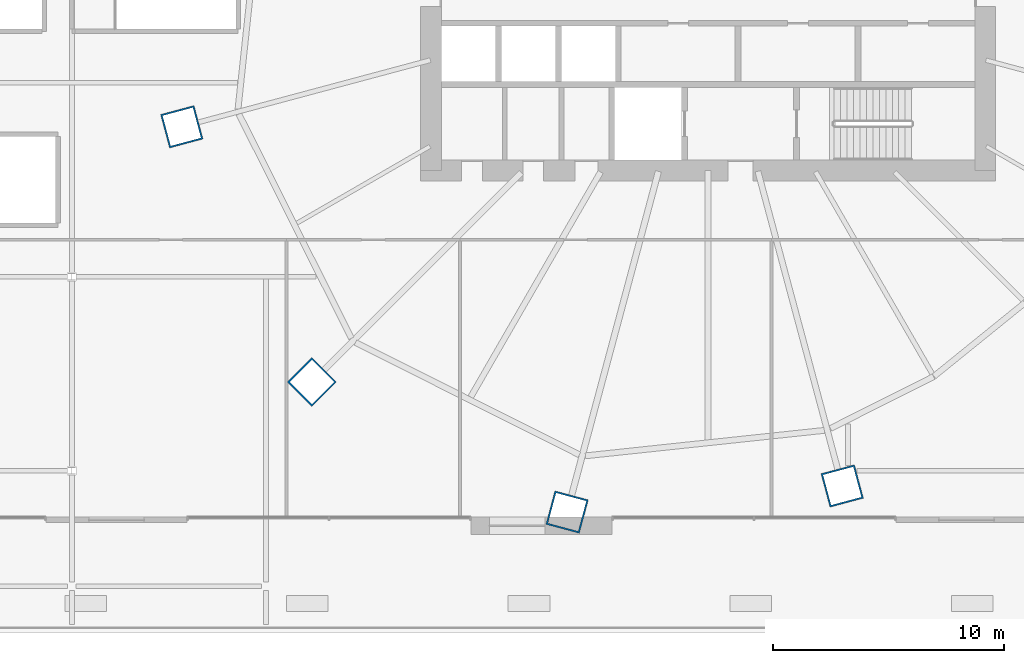
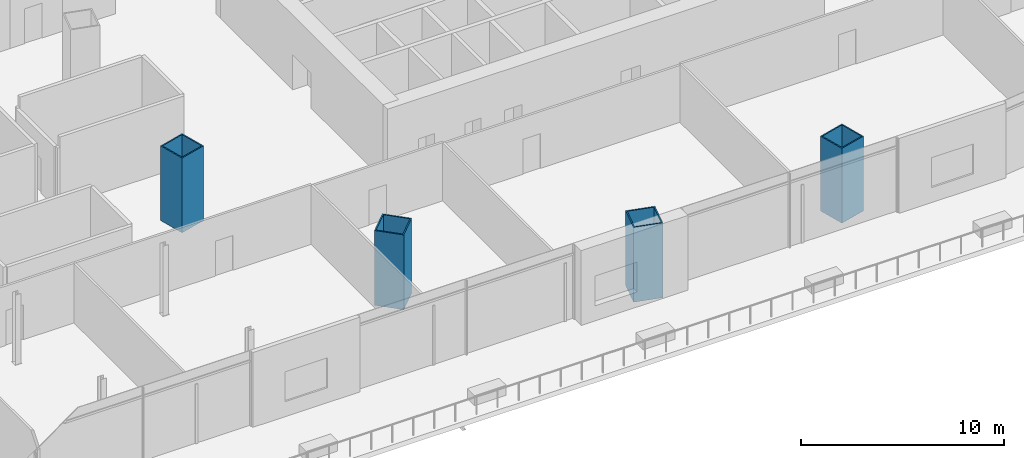
# One storey, part 5 of 49: 4 columns.
"""IFC4 building model written with IfcOpenShell, lengths in metres."""

import ifcopenshell
import ifcopenshell.guid

model = None  # the IFC model being written
_history = None  # IfcOwnerHistory: only IFC2X3 demands one
_inside = {}  # id of a spatial element -> (the spatial element, [elements in it])
_under = {}  # id of a project, library or spatial element -> (it, [spatial elements below it])
_declared = {}  # id of a project -> (the project, [libraries it declares])
_typed = {}  # id of a type object -> (the type object, [elements of that type])
_made_of = {}  # id of a material, layer set ... -> (it, [elements and type objects made of it])


def new_model(schema):
    """Start an empty IFC model of exactly this schema.

    Asked for "IFC4X3", IfcOpenShell would pick the latest addendum, in which some entities
    have other attributes; the version numbers below select the first issue.
    IFC2X3 requires an IfcOwnerHistory on every rooted entity: one is made here for all.
    """
    global model, _history
    if schema == "IFC4X3":
        model = ifcopenshell.file(schema_version=(4, 3, 0, 0))
    else:
        model = ifcopenshell.file(schema=schema)
    _inside.clear()
    _under.clear()
    _declared.clear()
    _typed.clear()
    _made_of.clear()
    _history = None
    if model.schema == "IFC2X3":
        org = make("IfcOrganization", Name="unknown")
        user = make(
            "IfcPersonAndOrganization",
            ThePerson=make("IfcPerson", FamilyName="unknown"),
            TheOrganization=org,
        )
        app = make(
            "IfcApplication",
            ApplicationDeveloper=org,
            Version="unknown",
            ApplicationFullName="unknown",
            ApplicationIdentifier="unknown",
        )
        _history = make(
            "IfcOwnerHistory",
            OwningUser=user,
            OwningApplication=app,
            ChangeAction="ADDED",
            CreationDate=0,
        )
    return model


def make(cls, **values):
    """One entity of the class cls with the attributes given. An attribute that is None is left unset."""
    return model.create_entity(
        cls, **{name: value for name, value in values.items() if value is not None}
    )


def rooted(cls, **values):
    """An entity with a GlobalId (a new one), such as an element, a storey or a relation."""
    return make(cls, GlobalId=ifcopenshell.guid.new(), OwnerHistory=_history, **values)


def si_unit(unit_type, name, prefix=None):
    """IfcSIUnit, for example si_unit("LENGTHUNIT", "METRE", prefix="MILLI")."""
    return make("IfcSIUnit", UnitType=unit_type, Prefix=prefix, Name=name)


def assignment(units):
    """IfcUnitAssignment: the units of a project."""
    return None if units is None else make("IfcUnitAssignment", Units=units)


def point(xyz):
    """IfcCartesianPoint."""
    return None if xyz is None else make("IfcCartesianPoint", Coordinates=xyz)


def direction(xyz):
    """IfcDirection."""
    return None if xyz is None else make("IfcDirection", DirectionRatios=xyz)


def frame(location, z_axis=None, x_axis=None):
    """IfcAxis2Placement3D, a coordinate frame: its origin and axes. An axis left out is left unset."""
    return make(
        "IfcAxis2Placement3D",
        Location=point(location),
        Axis=direction(z_axis),
        RefDirection=direction(x_axis),
    )


def frame_2d(location, x_axis=None):
    """IfcAxis2Placement2D, a coordinate frame in the plane: its origin and x axis."""
    return make(
        "IfcAxis2Placement2D", Location=point(location), RefDirection=direction(x_axis)
    )


def origin():
    """The frame at (0, 0, 0) with its axes left unset."""
    return frame((0.0, 0.0, 0.0))


def origin_2d():
    """The frame at (0, 0) in the plane with its x axis left unset."""
    return frame_2d((0.0, 0.0))


def place(relative_to, where):
    """IfcLocalPlacement: puts the frame where relative to a parent placement (None: the world)."""
    return make(
        "IfcLocalPlacement", PlacementRelTo=relative_to, RelativePlacement=where
    )


def context(
    kind, dimensions, precision=None, world=None, true_north=None, identifier=None
):
    """IfcGeometricRepresentationContext, for example the 3D "Model" context."""
    return make(
        "IfcGeometricRepresentationContext",
        ContextIdentifier=identifier,
        ContextType=kind,
        CoordinateSpaceDimension=dimensions,
        Precision=precision,
        WorldCoordinateSystem=world,
        TrueNorth=true_north,
    )


def subcontext(parent, identifier, kind, view, scale=None):
    """IfcGeometricRepresentationSubContext, for example "Body" below "Model"."""
    return make(
        "IfcGeometricRepresentationSubContext",
        ContextIdentifier=identifier,
        ContextType=kind,
        ParentContext=parent,
        TargetScale=scale,
        TargetView=view,
    )


def project(units=None, contexts=None):
    """IfcProject with its units and contexts."""
    return rooted(
        "IfcProject",
        Name="project",
        RepresentationContexts=contexts,
        UnitsInContext=assignment(units),
    )


def spatial(cls, under=None, at=None, **own):
    """A site, building, storey or space (cls), placed at a placement, below another one or the project."""
    s = rooted(cls, ObjectPlacement=at, **own)
    if under is not None:
        _under.setdefault(under.id(), (under, []))[1].append(s)
    return s


def profile(cls, at=None, kind="AREA", **sizes):
    """A parametric profile (cls). Its sizes go by their IFC names, for example OverallWidth=200.0."""
    return make(cls, ProfileType=kind, Position=at, **sizes)


def hollow_rectangle(**sizes):
    """IfcRectangleHollowProfileDef."""
    return profile("IfcRectangleHollowProfileDef", **sizes)


def extrude(swept, where, along, depth):
    """IfcExtrudedAreaSolid: the profile swept, set in the frame where, extruded along a direction by depth."""
    return make(
        "IfcExtrudedAreaSolid",
        SweptArea=swept,
        Position=where,
        ExtrudedDirection=direction(along),
        Depth=depth,
    )


def shape(context_of_items, identifier, shape_type, items):
    """IfcShapeRepresentation: the items that make up one representation, for example the "Body"."""
    return make(
        "IfcShapeRepresentation",
        ContextOfItems=context_of_items,
        RepresentationIdentifier=identifier,
        RepresentationType=shape_type,
        Items=items,
    )


def material(Name=None, Category=None):
    """IfcMaterial."""
    return make("IfcMaterial", Name=Name, Category=Category)


def material_profile(
    of_material, cross_section, Name=None, Category=None, Priority=None
):
    """IfcMaterialProfile: a cross section and its material."""
    return make(
        "IfcMaterialProfile",
        Name=Name,
        Material=of_material,
        Profile=cross_section,
        Priority=Priority,
        Category=Category,
    )


def profile_set(profiles, Name=None, composite=None):
    """IfcMaterialProfileSet."""
    return make(
        "IfcMaterialProfileSet",
        Name=Name,
        MaterialProfiles=profiles,
        CompositeProfile=composite,
    )


def made_of(thing, what):
    """Note that an element or type object is made of a material, layer set ...; save() writes the relation."""
    if what is not None:
        _made_of.setdefault(what.id(), (what, []))[1].append(thing)
    return thing


def type_object(cls, material=None, **own):
    """A type object (cls), such as IfcWallType, which elements share."""
    return made_of(rooted(cls, **own), material)


def element(
    cls,
    number,
    at=None,
    inside=None,
    cuts=None,
    type_object=None,
    material=None,
    context=None,
    identifier="Body",
    shape_type=None,
    held_by="IfcProductDefinitionShape",
    body=None,
    shapes=None,
    **own,
):
    """One element of the class cls, such as IfcWall. Its Tag is "e" and its number.

    at: its placement. inside: the storey or other place that contains it. cuts: it is an
    opening in that element (IfcRelVoidsElement). A single representation is given by context,
    identifier, shape_type and body (its items); several are given by shapes. held_by: the class
    of the entity that holds the representations. save() writes the other relations.
    """
    e = rooted(cls, Tag="e%d" % number, ObjectPlacement=at, **own)
    if body is not None:
        shapes = [shape(context, identifier, shape_type, body)]
    if shapes is not None:
        e.Representation = make(held_by, Representations=shapes)
    if inside is not None:
        _inside.setdefault(inside.id(), (inside, []))[1].append(e)
    if cuts is not None:
        rooted(
            "IfcRelVoidsElement", RelatingBuildingElement=cuts, RelatedOpeningElement=e
        )
    if type_object is not None:
        _typed.setdefault(type_object.id(), (type_object, []))[1].append(e)
    return made_of(e, material)


def aggregate(whole, parts):
    """IfcRelAggregates: a whole, such as a stair, and the parts it consists of."""
    return rooted("IfcRelAggregates", RelatingObject=whole, RelatedObjects=parts)


def save(model, path):
    """Write the relations noted so far, then the file.

    IfcRelAggregates (storeys below a building ...), IfcRelContainedInSpatialStructure (elements
    in a storey), IfcRelDefinesByType, IfcRelAssociatesMaterial and IfcRelDeclares: one each for
    every whole, place, type object, material and project.
    """
    for whole, parts in _under.values():
        aggregate(whole, parts)
    for where, things in _inside.values():
        rooted(
            "IfcRelContainedInSpatialStructure",
            RelatedElements=things,
            RelatingStructure=where,
        )
    for kind, things in _typed.values():
        rooted("IfcRelDefinesByType", RelatedObjects=things, RelatingType=kind)
    for what, things in _made_of.values():
        rooted("IfcRelAssociatesMaterial", RelatedObjects=things, RelatingMaterial=what)
    for by, libraries in _declared.values():
        rooted("IfcRelDeclares", RelatingContext=by, RelatedDefinitions=libraries)
    model.write(path)


model = new_model("IFC4")

# Units and contexts
model_context = context("Model", 3, precision=1e-05, world=origin(), true_north=direction((0.0, 1.0)))
body_context = subcontext(model_context, "Body", "Model", "MODEL_VIEW")
ifc_project = project(units=[si_unit("LENGTHUNIT", "METRE"), si_unit("AREAUNIT", "SQUARE_METRE"), si_unit("VOLUMEUNIT", "CUBIC_METRE"), si_unit("PLANEANGLEUNIT", "RADIAN"), si_unit("MASSUNIT", "GRAM", prefix="KILO")], contexts=[model_context])

# Site, building, storey
site_placement = place(None, origin())
site = spatial("IfcSite", under=ifc_project, at=site_placement, CompositionType="ELEMENT")
building_placement = place(site_placement, origin())
building = spatial("IfcBuilding", under=site, at=building_placement, Name="Rimbun Link Towers", CompositionType="ELEMENT")
storey_placement = place(building_placement, frame((0.0, 0.0, 25.5)))
storey = spatial("IfcBuildingStorey", under=building, at=storey_placement, Name="L05", CompositionType="ELEMENT", Elevation=25.5)

# Columns
ifc_material = material(Name="Steel S460N", Category="steel")
ifc_material_profile = material_profile(ifc_material, hollow_rectangle(XDim=1.5, YDim=1.5, WallThickness=0.070068359375, at=origin_2d()), Name="BOX 1500x1500x70")
ifc_profile_set = profile_set([ifc_material_profile], Name="Steel S460N")
column_type = type_object("IfcColumnType", Name="BOX 1500x1500x70", PredefinedType="COLUMN", material=ifc_profile_set)
for number, where, z_axis, x_axis, name in (
    (1, (8.959716796875, -6.106689453125, 0.0), (0.0, 0.0, 1.0), (-0.965925826289, -0.258819045103, 0.0), "Mega column T2 L05 10"),
    (2, (14.59375, -17.15625, 0.0), (0.0, 0.0, 1.0), (-0.707106781187, -0.707106781187, 0.0), "Mega column T2 L05 12"),
    (3, (25.643310546875, -22.790283203125, 0.0), (0.0, 0.0, 1.0), (-0.258819045103, -0.965925826289, 0.0), "Mega column T2 L05 14"),
    (4, (37.55322265625, -21.658203125, 0.0), (0.0, 0.0, 1.0), (0.258819045103, -0.965925826289, 0.0), "Mega column T2 L05 16"),
):
    element("IfcColumn", number, at=place(storey_placement, frame(where, z_axis=z_axis, x_axis=x_axis)), inside=storey, type_object=column_type, Name=name, PredefinedType="COLUMN", context=body_context, shape_type="SweptSolid", body=[
        extrude(hollow_rectangle(XDim=1.5, YDim=1.5, WallThickness=0.070068359375, at=origin_2d()), origin(), (0.0, 0.0, 1.0), 4.5),
    ])

save(model, "model.ifc")
